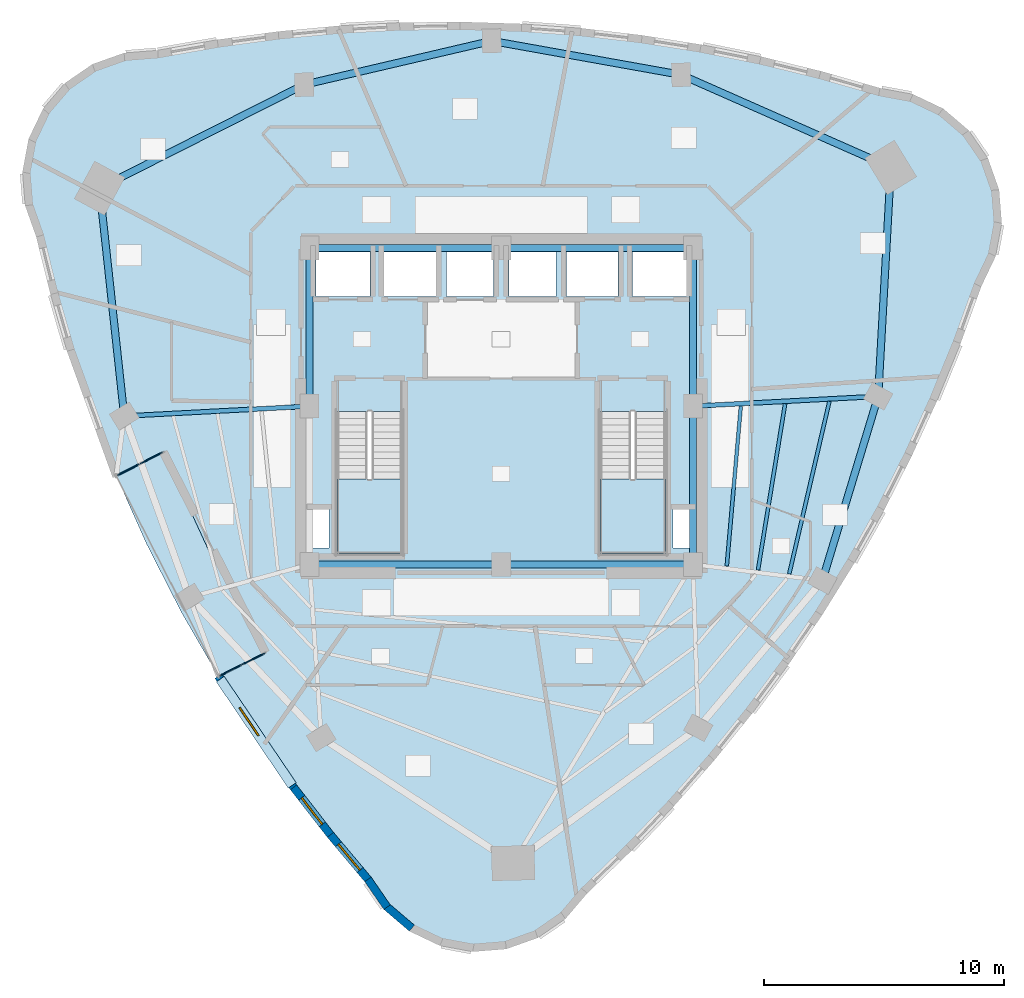
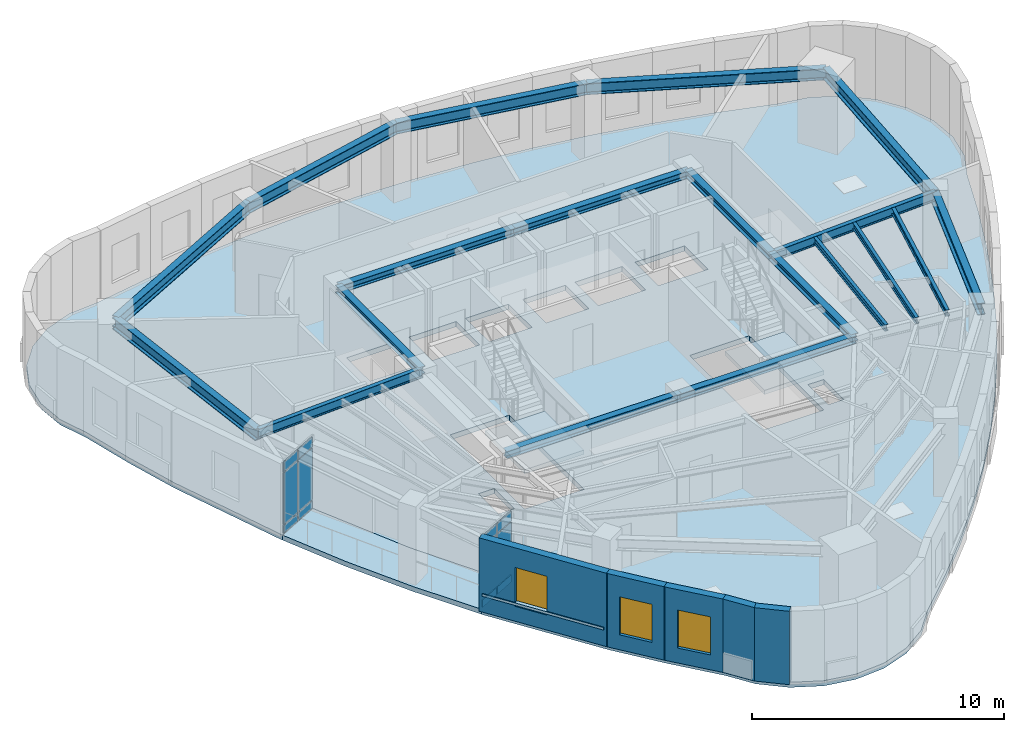
# One storey, part 5 of 12: 19 beams, 13 plates, 5 walls, 4 slabs, 3 windows, 3 openings, 4 elements without a shape of their own.
"""IFC4 building model written with IfcOpenShell, lengths in metres."""

from ifc_helpers import new_model, si_unit, direction, frame, frame_2d, origin, origin_2d, place, context, subcontext, project, spatial, polyline, rectangle, i_section, outline, extrude, material, layer, layer_set, material_profile, profile_set, type_object, element, fill, aggregate, save


model = new_model("IFC4")

# Units and contexts
model_context = context("Model", 3, precision=1e-05, world=origin(), true_north=direction((0.0, 1.0)))
body_context = subcontext(model_context, "Body", "Model", "MODEL_VIEW")
ifc_project = project(units=[si_unit("LENGTHUNIT", "METRE"), si_unit("AREAUNIT", "SQUARE_METRE"), si_unit("VOLUMEUNIT", "CUBIC_METRE"), si_unit("PLANEANGLEUNIT", "RADIAN"), si_unit("MASSUNIT", "GRAM", prefix="KILO")], contexts=[model_context])

# Site, building, storey
site_placement = place(None, origin())
site = spatial("IfcSite", under=ifc_project, at=site_placement, CompositionType="ELEMENT")
building_placement = place(site_placement, origin())
building = spatial("IfcBuilding", under=site, at=building_placement, Name="Ndelora Gate Hotel", CompositionType="ELEMENT")
storey_placement = place(building_placement, frame((0.0, 0.0, 201.75)))
storey = spatial("IfcBuildingStorey", under=building, at=storey_placement, Name="L50", CompositionType="ELEMENT", Elevation=201.75)

# Beams
ifc_material_1 = material(Name="Steel S355", Category="steel")
ifc_material_profile_1 = material_profile(ifc_material_1, i_section(OverallWidth=0.300048828125, OverallDepth=0.35009765625, WebThickness=0.010009765625, FlangeThickness=0.017578125, FilletRadius=0.027099609375, at=origin_2d()), Name="HEA 360")
ifc_profile_set_1 = profile_set([ifc_material_profile_1], Name="Steel S355")
beam_type_1 = type_object("IfcBeamType", Name="BM-CORE-350", PredefinedType="BEAM", material=ifc_profile_set_1)
for number, where, z_axis, x_axis, name in (
    (1, (-8.0, 6.60009765625, 3.375), (1.0, 0.0, 0.0), (0.0, 1.0, 0.0), "L50 Core Tie Girder CC7-CC6"),
    (2, (0.0, 6.60009765625, 3.375), (1.0, 0.0, 0.0), (0.0, 1.0, 0.0), "L50 Core Tie Girder CC6-CC5"),
):
    element("IfcBeam", number, at=place(storey_placement, frame(where, z_axis=z_axis, x_axis=x_axis)), inside=storey, type_object=beam_type_1, Name=name, PredefinedType="BEAM", context=body_context, shape_type="SweptSolid", body=[
        extrude(i_section(OverallWidth=0.300048828125, OverallDepth=0.35009765625, WebThickness=0.010009765625, FlangeThickness=0.017578125, FilletRadius=0.027099609375, at=origin_2d()), origin(), (0.0, 0.0, 1.0), 8.0),
    ])
for number, where, z_axis, x_axis, name in (
    (3, (-8.0, 0.0, 3.375), (0.0, 1.0, 0.0), (-1.0, 0.0, 0.0), "L50 Core Tie Girder CC8-CC7"),
    (4, (8.0, -6.60009765625, 3.375), (0.0, 1.0, 0.0), (-1.0, 0.0, 0.0), "L50 Core Tie Girder CC3-CC4"),
    (5, (8.0, 0.0, 3.375), (0.0, 1.0, 0.0), (-1.0, 0.0, 0.0), "L50 Core Tie Girder CC4-CC5"),
):
    element("IfcBeam", number, at=place(storey_placement, frame(where, z_axis=z_axis, x_axis=x_axis)), inside=storey, type_object=beam_type_1, Name=name, PredefinedType="BEAM", context=body_context, shape_type="SweptSolid", body=[
        extrude(i_section(OverallWidth=0.300048828125, OverallDepth=0.35009765625, WebThickness=0.010009765625, FlangeThickness=0.017578125, FilletRadius=0.027099609375, at=origin_2d()), origin(), (0.0, 0.0, 1.0), 6.60009765625),
    ])
for number, where, z_axis, x_axis, name in (
    (6, (-8.0, -6.60009765625, 3.375), (1.0, 0.0, 0.0), (0.0, 1.0, 0.0), "L50 Core Tie Girder CC1-CC2"),
    (7, (0.0, -6.60009765625, 3.375), (1.0, 0.0, 0.0), (0.0, 1.0, 0.0), "L50 Core Tie Girder CC2-CC3"),
):
    element("IfcBeam", number, at=place(storey_placement, frame(where, z_axis=z_axis, x_axis=x_axis)), inside=storey, type_object=beam_type_1, Name=name, PredefinedType="BEAM", context=body_context, shape_type="SweptSolid", body=[
        extrude(i_section(OverallWidth=0.300048828125, OverallDepth=0.35009765625, WebThickness=0.010009765625, FlangeThickness=0.017578125, FilletRadius=0.027099609375, at=origin_2d()), origin(), (0.0, 0.0, 1.0), 8.0),
    ])
ifc_material_profile_2 = material_profile(ifc_material_1, i_section(OverallWidth=0.14990234375, OverallDepth=0.300048828125, WebThickness=0.007080078125, FlangeThickness=0.0107421875, FilletRadius=0.014892578125, at=origin_2d()), Name="IPE 300")
ifc_profile_set_2 = profile_set([ifc_material_profile_2], Name="Steel S355")
beam_type_2 = type_object("IfcBeamType", Name="BM-JST-300", PredefinedType="JOIST", material=ifc_profile_set_2)
beam_1_placement = place(storey_placement, frame((9.413330078125, -6.671142578125, 3.39990234375), z_axis=(0.087643872384, 0.996151871771, 0.0), x_axis=(-0.996151871771, 0.087643872384, 0.0)))
element("IfcBeam", 8, at=beam_1_placement, inside=storey, type_object=beam_type_2, Name="L50 Secondary Composite Floor Joist IN-7", PredefinedType="JOIST", context=body_context, shape_type="SweptSolid", body=[
    extrude(i_section(OverallWidth=0.14990234375, OverallDepth=0.300048828125, WebThickness=0.007080078125, FlangeThickness=0.0107421875, FilletRadius=0.014892578125, at=origin_2d()), origin(), (0.0, 0.0, 1.0), 6.699462890625),
])
beam_2_placement = place(storey_placement, frame((10.717041015625, -6.834228515625, 3.39990234375), z_axis=(0.160939239626, 0.986964316046, 0.0), x_axis=(-0.986964316046, 0.160939239626, 0.0)))
element("IfcBeam", 9, at=beam_2_placement, inside=storey, type_object=beam_type_2, Name="L50 Secondary Composite Floor Joist MID-7", PredefinedType="JOIST", context=body_context, shape_type="SweptSolid", body=[
    extrude(i_section(OverallWidth=0.14990234375, OverallDepth=0.300048828125, WebThickness=0.007080078125, FlangeThickness=0.0107421875, FilletRadius=0.014892578125, at=origin_2d()), origin(), (0.0, 0.0, 1.0), 7.028076171875),
])
beam_3_placement = place(storey_placement, frame((12.02001953125, -6.997802734375, 3.39990234375), z_axis=(0.22674518397, 0.973954116756, 0.0), x_axis=(-0.973954116756, 0.22674518397, 0.0)))
element("IfcBeam", 10, at=beam_3_placement, inside=storey, type_object=beam_type_2, Name="L50 Secondary Composite Floor Joist OUT-7", PredefinedType="JOIST", context=body_context, shape_type="SweptSolid", body=[
    extrude(i_section(OverallWidth=0.14990234375, OverallDepth=0.300048828125, WebThickness=0.007080078125, FlangeThickness=0.0107421875, FilletRadius=0.014892578125, at=origin_2d()), origin(), (0.0, 0.0, 1.0), 7.392822265625),
])
ifc_material_profile_3 = material_profile(ifc_material_1, i_section(OverallWidth=0.18994140625, OverallDepth=0.449951171875, WebThickness=0.009521484375, FlangeThickness=0.0146484375, FilletRadius=0.02099609375, at=origin_2d()), Name="IPE 450")
ifc_profile_set_3 = profile_set([ifc_material_profile_3], Name="Steel S355")
beam_type_3 = type_object("IfcBeamType", Name="BM-RAD-450", PredefinedType="BEAM", material=ifc_profile_set_3)
for number, where, z_axis, x_axis, name in (
    (11, (-8.0, 0.0, 3.324951171875), (-0.998583554121, -0.053206065814, 0.0), (0.053206065814, -0.998583554121, 0.0), "L50 Radial Floor Girder 2"),
    (12, (8.0, 0.0, 3.324951171875), (0.998583554121, 0.053206065814, 0.0), (-0.053206065814, 0.998583554121, 0.0), "L50 Radial Floor Girder 8"),
):
    element("IfcBeam", number, at=place(storey_placement, frame(where, z_axis=z_axis, x_axis=x_axis)), inside=storey, type_object=beam_type_3, Name=name, PredefinedType="BEAM", context=body_context, shape_type="SweptSolid", body=[
        extrude(i_section(OverallWidth=0.18994140625, OverallDepth=0.449951171875, WebThickness=0.009521484375, FlangeThickness=0.0146484375, FilletRadius=0.02099609375, at=origin_2d()), origin(), (0.0, 0.0, 1.0), 7.740966796875),
    ])
ifc_material_profile_4 = material_profile(ifc_material_1, i_section(OverallWidth=0.300048828125, OverallDepth=0.550048828125, WebThickness=0.014892578125, FlangeThickness=0.029052734375, FilletRadius=0.027099609375, at=origin_2d()), Name="HEB 550")
ifc_profile_set_4 = profile_set([ifc_material_profile_4], Name="Steel S355")
beam_type_4 = type_object("IfcBeamType", Name="BM-RING-550", PredefinedType="SPANDREL", material=ifc_profile_set_4)
beam_4_placement = place(storey_placement, frame((-16.759521484375, 9.099609375, 3.27490234375), z_axis=(0.107613416645, -0.994192814578, 0.0), x_axis=(0.994192814578, 0.107613416645, 0.0)))
element("IfcBeam", 13, at=beam_4_placement, inside=storey, type_object=beam_type_4, Name="L50 Perimeter Spandrel Girder 1", PredefinedType="SPANDREL", context=body_context, shape_type="SweptSolid", body=[
    extrude(i_section(OverallWidth=0.300048828125, OverallDepth=0.550048828125, WebThickness=0.014892578125, FlangeThickness=0.029052734375, FilletRadius=0.027099609375, at=origin_2d()), origin(), (0.0, 0.0, 1.0), 9.567138671875),
])
beam_5_placement = place(storey_placement, frame((13.400390625, -7.275634765625, 3.27490234375), z_axis=(0.290012456561, 0.957022870698, 0.0), x_axis=(-0.957022870698, 0.290012456561, 0.0)))
element("IfcBeam", 14, at=beam_5_placement, inside=storey, type_object=beam_type_4, Name="L50 Perimeter Spandrel Girder 7", PredefinedType="SPANDREL", context=body_context, shape_type="SweptSolid", body=[
    extrude(i_section(OverallWidth=0.300048828125, OverallDepth=0.550048828125, WebThickness=0.014892578125, FlangeThickness=0.029052734375, FilletRadius=0.027099609375, at=origin_2d()), origin(), (0.0, 0.0, 1.0), 8.03271484375),
])
beam_6_placement = place(storey_placement, frame((15.72998046875, 0.411865234375, 3.27490234375), z_axis=(0.055426206248, 0.998462786318, 0.0), x_axis=(-0.998462786318, 0.055426206248, 0.0)))
element("IfcBeam", 15, at=beam_6_placement, inside=storey, type_object=beam_type_4, Name="L50 Perimeter Spandrel Girder 8", PredefinedType="SPANDREL", context=body_context, shape_type="SweptSolid", body=[
    extrude(i_section(OverallWidth=0.300048828125, OverallDepth=0.550048828125, WebThickness=0.014892578125, FlangeThickness=0.029052734375, FilletRadius=0.027099609375, at=origin_2d()), origin(), (0.0, 0.0, 1.0), 9.567138671875),
])
beam_7_placement = place(storey_placement, frame((16.26025390625, 9.96435546875, 3.27490234375), z_axis=(-0.914807449647, 0.403890245078, 0.0), x_axis=(-0.403890245078, -0.914807449647, 0.0)))
element("IfcBeam", 16, at=beam_7_placement, inside=storey, type_object=beam_type_4, Name="L50 Perimeter Spandrel Girder 9", PredefinedType="SPANDREL", context=body_context, shape_type="SweptSolid", body=[
    extrude(i_section(OverallWidth=0.300048828125, OverallDepth=0.550048828125, WebThickness=0.014892578125, FlangeThickness=0.029052734375, FilletRadius=0.027099609375, at=origin_2d()), origin(), (0.0, 0.0, 1.0), 9.56689453125),
])
for number, where, z_axis, x_axis, name in (
    (17, (7.50830078125, 13.828369140625, 3.27490234375), (-0.984373619655, 0.176092523767, 0.0), (-0.176092523767, -0.984373619655, 0.0), "L50 Perimeter Spandrel Girder 10"),
    (18, (-0.399169921875, 15.242919921875, 3.27490234375), (-0.973809142107, -0.227367004529, 0.0), (0.227367004529, -0.973809142107, 0.0), "L50 Perimeter Spandrel Girder 11"),
):
    element("IfcBeam", number, at=place(storey_placement, frame(where, z_axis=z_axis, x_axis=x_axis)), inside=storey, type_object=beam_type_4, Name=name, PredefinedType="SPANDREL", context=body_context, shape_type="SweptSolid", body=[
        extrude(i_section(OverallWidth=0.300048828125, OverallDepth=0.550048828125, WebThickness=0.014892578125, FlangeThickness=0.029052734375, FilletRadius=0.027099609375, at=origin_2d()), origin(), (0.0, 0.0, 1.0), 8.032958984375),
    ])
beam_8_placement = place(storey_placement, frame((-8.2216796875, 13.41650390625, 3.27490234375), z_axis=(-0.89241242978, -0.451220628045, 0.0), x_axis=(0.451220628045, -0.89241242978, 0.0)))
element("IfcBeam", 19, at=beam_8_placement, inside=storey, type_object=beam_type_4, Name="L50 Perimeter Spandrel Girder 12", PredefinedType="SPANDREL", context=body_context, shape_type="SweptSolid", body=[
    extrude(i_section(OverallWidth=0.300048828125, OverallDepth=0.550048828125, WebThickness=0.014892578125, FlangeThickness=0.029052734375, FilletRadius=0.027099609375, at=origin_2d()), origin(), (0.0, 0.0, 1.0), 9.567138671875),
])

# Curtain wall, plates
ifc_material_2 = material(Name="Bronze Anodised Unitised Aluminium and Low-E Glass", Category="aluminium")
ifc_layer_1 = layer(ifc_material_2, 0.199951171875)
ifc_layer_set_1 = layer_set([ifc_layer_1], Name="Bronze Anodised Unitised Aluminium and Low-E Glass")
curtain_wall_type = type_object("IfcCurtainWallType", Name="CW-SYS-3", PredefinedType="NOTDEFINED", material=ifc_layer_set_1)
curtain_wall_1_placement = place(storey_placement, origin())
curtain_wall_1 = element("IfcCurtainWall", 20, at=curtain_wall_1_placement, inside=storey, type_object=curtain_wall_type, Name="L50 Sky-Garden Loggia Side Curtain Wall CW3-1", PredefinedType="NOTDEFINED")
ifc_material_3 = material(Name="Solar-Control Low-E Insulated Glazing", Category="glass")
ifc_layer_2 = layer(ifc_material_3, 0.048095703125)
ifc_layer_set_2 = layer_set([ifc_layer_2], Name="Solar-Control Low-E Insulated Glazing")
plate_type_1 = type_object("IfcPlateType", Name="PL-CW-GLZ36", PredefinedType="CURTAIN_PANEL", material=ifc_layer_set_2)
plate_1_placement = place(storey_placement, frame((-14.6044921875, -2.166259765625, 0.05908203125), z_axis=(0.0, 0.0, 1.0), x_axis=(-0.891001336507, -0.454000680995, 0.0)))
plate_1 = element("IfcPlate", 21, at=plate_1_placement, type_object=plate_type_1, Name="CW3 panel 1.1", PredefinedType="CURTAIN_PANEL", context=body_context, shape_type="SweptSolid", body=[
    extrude(rectangle(XDim=1.014404296875, YDim=0.048095703125, at=origin_2d()), origin(), (0.0, 0.0, 1.0), 0.364501953125),
])
plate_2_placement = place(storey_placement, frame((-14.6044921875, -2.166259765625, 0.4765625), z_axis=(0.0, 0.0, 1.0), x_axis=(-0.891001336507, -0.454000680995, 0.0)))
plate_2 = element("IfcPlate", 22, at=plate_2_placement, type_object=plate_type_1, Name="CW3 panel 1.2", PredefinedType="CURTAIN_PANEL", context=body_context, shape_type="SweptSolid", body=[
    extrude(rectangle(XDim=1.014404296875, YDim=0.048095703125, at=origin_2d()), origin(), (0.0, 0.0, 1.0), 2.4970703125),
])
plate_3_placement = place(storey_placement, frame((-14.6044921875, -2.166259765625, 3.0263671875), z_axis=(0.0, 0.0, 1.0), x_axis=(-0.891001336507, -0.454000680995, 0.0)))
plate_3 = element("IfcPlate", 23, at=plate_3_placement, type_object=plate_type_1, Name="CW3 panel 1.3", PredefinedType="CURTAIN_PANEL", context=body_context, shape_type="SweptSolid", body=[
    extrude(rectangle(XDim=1.014404296875, YDim=0.048095703125, at=origin_2d()), origin(), (0.0, 0.0, 1.0), 0.464599609375),
])
plate_4_placement = place(storey_placement, frame((-15.5556640625, -2.651123046875, 0.05908203125), z_axis=(0.0, 0.0, 1.0), x_axis=(-0.891001336507, -0.454000680995, 0.0)))
plate_4 = element("IfcPlate", 24, at=plate_4_placement, type_object=plate_type_1, Name="CW3 panel 2.1", PredefinedType="CURTAIN_PANEL", context=body_context, shape_type="SweptSolid", body=[
    extrude(rectangle(XDim=1.014404296875, YDim=0.048095703125, at=origin_2d()), origin(), (0.0, 0.0, 1.0), 0.364501953125),
])
plate_5_placement = place(storey_placement, frame((-15.5556640625, -2.651123046875, 0.4765625), z_axis=(0.0, 0.0, 1.0), x_axis=(-0.891001336507, -0.454000680995, 0.0)))
plate_5 = element("IfcPlate", 25, at=plate_5_placement, type_object=plate_type_1, Name="CW3 panel 2.2", PredefinedType="CURTAIN_PANEL", context=body_context, shape_type="SweptSolid", body=[
    extrude(rectangle(XDim=1.014404296875, YDim=0.048095703125, at=origin_2d()), origin(), (0.0, 0.0, 1.0), 2.4970703125),
])
plate_6_placement = place(storey_placement, frame((-15.5556640625, -2.651123046875, 3.0263671875), z_axis=(0.0, 0.0, 1.0), x_axis=(-0.891001336507, -0.454000680995, 0.0)))
plate_6 = element("IfcPlate", 26, at=plate_6_placement, type_object=plate_type_1, Name="CW3 panel 2.3", PredefinedType="CURTAIN_PANEL", context=body_context, shape_type="SweptSolid", body=[
    extrude(rectangle(XDim=1.014404296875, YDim=0.048095703125, at=origin_2d()), origin(), (0.0, 0.0, 1.0), 0.464599609375),
])
aggregate(curtain_wall_1, [plate_1, plate_2, plate_3, plate_4, plate_5, plate_6])

curtain_wall_2_placement = place(storey_placement, origin())
curtain_wall_2 = element("IfcCurtainWall", 27, at=curtain_wall_2_placement, inside=storey, type_object=curtain_wall_type, Name="L50 Sky-Garden Loggia Side Curtain Wall CW3-2", PredefinedType="NOTDEFINED")
plate_7_placement = place(storey_placement, frame((-11.2880859375, -11.026611328125, 0.05908203125), z_axis=(0.0, 0.0, 1.0), x_axis=(0.891001336507, 0.454000680995, 0.0)))
plate_7 = element("IfcPlate", 28, at=plate_7_placement, type_object=plate_type_1, Name="CW3 panel 1.1", PredefinedType="CURTAIN_PANEL", context=body_context, shape_type="SweptSolid", body=[
    extrude(rectangle(XDim=1.014404296875, YDim=0.048095703125, at=origin_2d()), origin(), (0.0, 0.0, 1.0), 0.364501953125),
])
plate_8_placement = place(storey_placement, frame((-11.2880859375, -11.026611328125, 0.4765625), z_axis=(0.0, 0.0, 1.0), x_axis=(0.891001336507, 0.454000680995, 0.0)))
plate_8 = element("IfcPlate", 29, at=plate_8_placement, type_object=plate_type_1, Name="CW3 panel 1.2", PredefinedType="CURTAIN_PANEL", context=body_context, shape_type="SweptSolid", body=[
    extrude(rectangle(XDim=1.014404296875, YDim=0.048095703125, at=origin_2d()), origin(), (0.0, 0.0, 1.0), 2.4970703125),
])
plate_9_placement = place(storey_placement, frame((-11.2880859375, -11.026611328125, 3.0263671875), z_axis=(0.0, 0.0, 1.0), x_axis=(0.891001336507, 0.454000680995, 0.0)))
plate_9 = element("IfcPlate", 30, at=plate_9_placement, type_object=plate_type_1, Name="CW3 panel 1.3", PredefinedType="CURTAIN_PANEL", context=body_context, shape_type="SweptSolid", body=[
    extrude(rectangle(XDim=1.014404296875, YDim=0.048095703125, at=origin_2d()), origin(), (0.0, 0.0, 1.0), 0.464599609375),
])
plate_10_placement = place(storey_placement, frame((-10.3369140625, -10.5419921875, 0.05908203125), z_axis=(0.0, 0.0, 1.0), x_axis=(0.891001336507, 0.454000680995, 0.0)))
plate_10 = element("IfcPlate", 31, at=plate_10_placement, type_object=plate_type_1, Name="CW3 panel 2.1", PredefinedType="CURTAIN_PANEL", context=body_context, shape_type="SweptSolid", body=[
    extrude(rectangle(XDim=1.014404296875, YDim=0.048095703125, at=origin_2d()), origin(), (0.0, 0.0, 1.0), 0.364501953125),
])
plate_11_placement = place(storey_placement, frame((-10.3369140625, -10.5419921875, 0.4765625), z_axis=(0.0, 0.0, 1.0), x_axis=(0.891001336507, 0.454000680995, 0.0)))
plate_11 = element("IfcPlate", 32, at=plate_11_placement, type_object=plate_type_1, Name="CW3 panel 2.2", PredefinedType="CURTAIN_PANEL", context=body_context, shape_type="SweptSolid", body=[
    extrude(rectangle(XDim=1.014404296875, YDim=0.048095703125, at=origin_2d()), origin(), (0.0, 0.0, 1.0), 2.4970703125),
])
plate_12_placement = place(storey_placement, frame((-10.3369140625, -10.5419921875, 3.0263671875), z_axis=(0.0, 0.0, 1.0), x_axis=(0.891001336507, 0.454000680995, 0.0)))
plate_12 = element("IfcPlate", 33, at=plate_12_placement, type_object=plate_type_1, Name="CW3 panel 2.3", PredefinedType="CURTAIN_PANEL", context=body_context, shape_type="SweptSolid", body=[
    extrude(rectangle(XDim=1.014404296875, YDim=0.048095703125, at=origin_2d()), origin(), (0.0, 0.0, 1.0), 0.464599609375),
])
aggregate(curtain_wall_2, [plate_7, plate_8, plate_9, plate_10, plate_11, plate_12])

# Plate
ifc_material_4 = material(Name="Precast concrete C40/50", Category="concrete")
ifc_layer_3 = layer(ifc_material_4, 0.125)
ifc_layer_set_3 = layer_set([ifc_layer_3], Name="Precast concrete C40/50")
plate_type_2 = type_object("IfcPlateType", Name="PL-SILL-120", PredefinedType="USERDEFINED", material=ifc_layer_set_3)
plate_13_placement = place(storey_placement, frame((-10.220458984375, -13.6044921875, 0.78759765625), z_axis=(0.0, 0.0, 1.0), x_axis=(-0.560783509816, 0.827962472047, 0.0)))
element("IfcPlate", 34, at=plate_13_placement, inside=storey, type_object=plate_type_2, Name="L50 Streamline Precast Ribbon Sill 16", ObjectType="RIBBON_SILL", PredefinedType="USERDEFINED", context=body_context, shape_type="SweptSolid", body=[
    extrude(rectangle(XDim=5.35693359375, YDim=0.39990234375, at=origin_2d()), origin(), (0.0, 0.0, 1.0), 0.125),
])

# Stair, slab
stair_type = type_object("IfcStairType", Name="STR-DOG-CORE", PredefinedType="HALF_TURN_STAIR", material=ifc_material_4)
stair_1_placement = place(storey_placement, origin())
stair_1 = element("IfcStair", 35, at=stair_1_placement, inside=storey, type_object=stair_type, Name="L50 Protected Core Exit Stair ST4", PredefinedType="HALF_TURN_STAIR")
ifc_layer_4 = layer(ifc_material_4, 0.219970703125)
ifc_layer_set_4 = layer_set([ifc_layer_4], Name="Precast concrete C40/50")
slab_type_1 = type_object("IfcSlabType", Name="SL-LAND-220", PredefinedType="LANDING", material=ifc_layer_set_4)
slab_1_placement = place(storey_placement, frame((0.0, 0.0, 1.699951171875)))
slab_1 = element("IfcSlab", 36, at=slab_1_placement, type_object=slab_type_1, Name="ST4 landing 1", PredefinedType="LANDING", context=body_context, shape_type="SweptSolid", body=[
    extrude(outline(polyline([(-6.85009765625, -3.030029296875), (-6.85009765625, -6.14990234375), (-4.1298828125, -6.14990234375), (-4.1298828125, -3.030029296875), (-6.85009765625, -3.030029296875)])), origin(), (0.0, 0.0, 1.0), 0.199951171875),
])
aggregate(stair_1, [slab_1])

stair_2_placement = place(storey_placement, origin())
stair_2 = element("IfcStair", 37, at=stair_2_placement, inside=storey, type_object=stair_type, Name="L50 Protected Core Exit Stair ST5", PredefinedType="HALF_TURN_STAIR")
slab_2_placement = place(storey_placement, frame((0.0, 0.0, 1.699951171875)))
slab_2 = element("IfcSlab", 38, at=slab_2_placement, type_object=slab_type_1, Name="ST5 landing 1", PredefinedType="LANDING", context=body_context, shape_type="SweptSolid", body=[
    extrude(outline(polyline([(4.1298828125, -3.030029296875), (4.1298828125, -6.14990234375), (6.85009765625, -6.14990234375), (6.85009765625, -3.030029296875), (4.1298828125, -3.030029296875)])), origin(), (0.0, 0.0, 1.0), 0.199951171875),
])
aggregate(stair_2, [slab_2])

# Slabs
ifc_layer_5 = layer(ifc_material_4, 0.239990234375)
ifc_layer_set_5 = layer_set([ifc_layer_5], Name="Precast concrete C40/50")
slab_type_2 = type_object("IfcSlabType", Name="SL-TER-240", PredefinedType="FLOOR", material=ifc_layer_set_5)
slab_3_placement = place(storey_placement, frame((0.0, 0.0, -0.239990234375)))
element("IfcSlab", 39, at=slab_3_placement, inside=storey, type_object=slab_type_2, Name="L50 Sky Garden Loggia Terrace Slab", PredefinedType="FLOOR", context=body_context, shape_type="SweptSolid", body=[
    extrude(outline(polyline([(-14.099853515625, -1.9091796875), (-16.06005859375, -2.908203125), (-14.797119140625, -5.74609375), (-13.345947265625, -8.593505859375), (-11.79248046875, -11.28369140625), (-9.83251953125, -10.284912109375), (-12.13037109375, -6.1806640625), (-14.099853515625, -1.9091796875)])), origin(), (0.0, 0.0, 1.0), 0.239990234375),
])
ifc_material_5 = material(Name="Concrete C40/50", Category="concrete")
ifc_layer_6 = layer(ifc_material_5, 0.25)
ifc_layer_set_6 = layer_set([ifc_layer_6], Name="Concrete C40/50")
slab_type_3 = type_object("IfcSlabType", Name="SL-TWR-250", PredefinedType="FLOOR", material=ifc_layer_set_6)
slab_4_placement = place(storey_placement, frame((0.0, 0.0, -0.25)))
element("IfcSlab", 40, at=slab_4_placement, inside=storey, type_object=slab_type_3, Name="L50 Structural Floor Slab", PredefinedType="FLOOR", context=body_context, shape_type="SweptSolid", body=[
    extrude(outline(polyline([(-14.344482421875, 14.68505859375), (-15.69775390625, 14.57861328125), (-16.977294921875, 14.12548828125), (-18.09619140625, 13.3564453125), (-18.977783203125, 12.32421875), (-19.56201171875, 11.09912109375), (-19.8095703125, 9.764404296875), (-19.702880859375, 8.410888671875), (-19.249755859375, 7.13134765625), (-18.65185546875, 4.7255859375), (-17.96728515625, 2.3642578125), (-16.06005859375, -2.908203125), (-14.099853515625, -1.9091796875), (-12.13037109375, -6.1806640625), (-9.83251953125, -10.284912109375), (-11.79248046875, -11.28369140625), (-8.648193359375, -15.92529296875), (-7.14013671875, -17.867431640625), (-5.54541015625, -19.76513671875), (-4.776611328125, -20.8837890625), (-3.744140625, -21.765380859375), (-2.51904296875, -22.349853515625), (-1.184326171875, -22.597412109375), (0.1689453125, -22.49072265625), (1.448486328125, -22.03759765625), (2.5673828125, -21.268798828125), (3.448974609375, -20.236572265625), (5.305908203125, -18.443115234375), (7.074462890625, -16.592041015625), (8.75439453125, -14.68359375), (10.345703125, -12.717529296875), (11.848388671875, -10.694091796875), (13.262939453125, -8.613037109375), (14.588623046875, -6.474609375), (15.825927734375, -4.278564453125), (16.974609375, -2.025146484375), (18.034912109375, 0.285888671875), (19.006591796875, 2.654296875), (19.889892578125, 5.080078125), (20.47412109375, 6.305419921875), (20.7216796875, 7.64013671875), (20.614990234375, 8.993408203125), (20.161865234375, 10.27294921875), (19.39306640625, 11.391845703125), (18.36083984375, 12.2734375), (17.135498046875, 12.85791015625), (15.80078125, 13.10498046875), (13.319091796875, 13.816650390625), (10.831787109375, 14.422607421875), (8.339111328125, 14.923095703125), (5.8408203125, 15.318359375), (3.3369140625, 15.608154296875), (0.82763671875, 15.79248046875), (-1.687255859375, 15.871337890625), (-4.20751953125, 15.844970703125), (-6.7333984375, 15.713134765625), (-9.264892578125, 15.475830078125), (-11.802001953125, 15.133056640625), (-14.344482421875, 14.68505859375)]), holes=[polyline([(-6.85009765625, -0.22998046875), (-6.85009765625, -6.14990234375), (-4.1298828125, -6.14990234375), (-4.1298828125, -0.22998046875), (-6.85009765625, -0.22998046875)]), polyline([(4.1298828125, -0.22998046875), (4.1298828125, -6.14990234375), (6.85009765625, -6.14990234375), (6.85009765625, -0.22998046875), (4.1298828125, -0.22998046875)]), polyline([(-7.72998046875, 4.570068359375), (-5.469970703125, 4.570068359375), (-5.469970703125, 6.429931640625), (-7.72998046875, 6.429931640625), (-7.72998046875, 4.570068359375)]), polyline([(5.469970703125, 4.570068359375), (7.72998046875, 4.570068359375), (7.72998046875, 6.429931640625), (5.469970703125, 6.429931640625), (5.469970703125, 4.570068359375)]), polyline([(-4.8798828125, 4.570068359375), (-2.719970703125, 4.570068359375), (-2.719970703125, 6.429931640625), (-4.8798828125, 6.429931640625), (-4.8798828125, 4.570068359375)]), polyline([(2.719970703125, 4.570068359375), (4.8798828125, 4.570068359375), (4.8798828125, 6.429931640625), (2.719970703125, 6.429931640625), (2.719970703125, 4.570068359375)]), polyline([(-2.280029296875, 4.570068359375), (-0.320068359375, 4.570068359375), (-0.320068359375, 6.429931640625), (-2.280029296875, 6.429931640625), (-2.280029296875, 4.570068359375)]), polyline([(0.320068359375, 4.570068359375), (2.280029296875, 4.570068359375), (2.280029296875, 6.429931640625), (0.320068359375, 6.429931640625), (0.320068359375, 4.570068359375)]), polyline([(-7.89990234375, -5.919921875), (-7.179931640625, -5.919921875), (-7.179931640625, -4.320068359375), (-7.89990234375, -4.320068359375), (-7.89990234375, -5.919921875)]), polyline([(7.179931640625, -5.919921875), (7.89990234375, -5.919921875), (7.89990234375, -4.320068359375), (7.179931640625, -4.320068359375), (7.179931640625, -5.919921875)])]), origin(), (0.0, 0.0, 1.0), 0.25),
])

# Wall, opening, window
ifc_material_6 = material(Name="Clay Brick Masonry", Category="masonry")
ifc_layer_7 = layer(ifc_material_6, 0.330078125)
ifc_layer_set_7 = layer_set([ifc_layer_7], Name="Clay Brick Masonry")
wall_type = type_object("IfcWallType", Name="WL-BRICK-330", PredefinedType="SOLIDWALL", material=ifc_layer_set_7)
wall_1_placement = place(storey_placement, frame((-8.63427734375, -15.946044921875, 0.0), z_axis=(0.0, 0.0, 1.0), x_axis=(-0.560840510301, 0.827923862444, 0.0)))
wall_1 = element("IfcWall", 41, at=wall_1_placement, inside=storey, type_object=wall_type, Name="L50 Tower Brick Pier-and-Spandrel Wall TWR-16", PredefinedType="SOLIDWALL", context=body_context, shape_type="SweptSolid", body=[
    extrude(rectangle(XDim=5.656494140625, YDim=0.330078125, at=frame_2d((2.828125, 0.0))), origin(), (0.0, 0.0, 1.0), 3.550048828125),
])
opening_1_placement = place(wall_1_placement, frame((2.659912109375, 0.0, 0.719970703125)))
opening_1 = element("IfcOpeningElement", 42, at=opening_1_placement, cuts=wall_1, Name="Opening W02", PredefinedType="OPENING", context=body_context, shape_type="SweptSolid", body=[
    extrude(rectangle(XDim=1.39990234375, YDim=1.8798828125, at=frame_2d((0.699951171875, 0.93994140625))), frame((0.0, 0.175048828125, 0.0), z_axis=(0.0, -1.0, 0.0), x_axis=(1.0, 0.0, 0.0)), (0.0, 0.0, 1.0), 0.35009765625),
])
ifc_material_7 = material(Name="Insulated Low-E Double Glazing in Bronze Aluminium Frame", Category="aluminium")
window_type = type_object("IfcWindowType", Name="WN-DEEP-1400", PartitioningType="SINGLE_PANEL", PredefinedType="WINDOW", material=ifc_material_7)
window_1_placement = place(opening_1_placement, origin())
window_1 = element("IfcWindow", 43, at=window_1_placement, inside=storey, type_object=window_type, Name="L50 Deep-Set Brick-Pier Window W02", OverallHeight=1.8798828125, OverallWidth=1.39990234375, PartitioningType="SINGLE_PANEL", PredefinedType="WINDOW", context=body_context, shape_type="SweptSolid", body=[
    extrude(rectangle(XDim=1.39990234375, YDim=1.8798828125, at=frame_2d((0.699951171875, 0.93994140625))), frame((0.0, 0.030029296875, 0.0), z_axis=(0.0, -1.0, 0.0), x_axis=(1.0, 0.0, 0.0)), (0.0, 0.0, 1.0), 0.06005859375),
])
fill(opening_1, window_1)

wall_2_placement = place(storey_placement, frame((-7.124755859375, -17.88720703125, 0.0), z_axis=(0.0, 0.0, 1.0), x_axis=(-0.61336779868, 0.789797406645, 0.0)))
wall_2 = element("IfcWall", 44, at=wall_2_placement, inside=storey, type_object=wall_type, Name="L50 Tower Brick Pier-and-Spandrel Wall TWR-17", PredefinedType="SOLIDWALL", context=body_context, shape_type="SweptSolid", body=[
    extrude(rectangle(XDim=2.5087890625, YDim=0.330078125, at=frame_2d((1.25439453125, 0.0))), origin(), (0.0, 0.0, 1.0), 3.550048828125),
])
opening_2_placement = place(wall_2_placement, frame((0.554443359375, 0.0, 0.719970703125)))
opening_2 = element("IfcOpeningElement", 45, at=opening_2_placement, cuts=wall_2, Name="Opening W02", PredefinedType="OPENING", context=body_context, shape_type="SweptSolid", body=[
    extrude(rectangle(XDim=1.39990234375, YDim=1.840087890625, at=frame_2d((0.699951171875, 0.919921875))), frame((0.0, 0.175048828125, 0.0), z_axis=(0.0, -1.0, 0.0), x_axis=(1.0, 0.0, 0.0)), (0.0, 0.0, 1.0), 0.35009765625),
])
window_2_placement = place(opening_2_placement, origin())
window_2 = element("IfcWindow", 46, at=window_2_placement, inside=storey, type_object=window_type, Name="L50 Deep-Set Brick-Pier Window W02", OverallHeight=1.840087890625, OverallWidth=1.39990234375, PartitioningType="SINGLE_PANEL", PredefinedType="WINDOW", context=body_context, shape_type="SweptSolid", body=[
    extrude(rectangle(XDim=1.39990234375, YDim=1.840087890625, at=frame_2d((0.699951171875, 0.919921875))), frame((0.0, 0.030029296875, 0.0), z_axis=(0.0, -1.0, 0.0), x_axis=(1.0, 0.0, 0.0)), (0.0, 0.0, 1.0), 0.06005859375),
])
fill(opening_2, window_2)

wall_3_placement = place(storey_placement, frame((-5.529296875, -19.7841796875, 0.0), z_axis=(0.0, 0.0, 1.0), x_axis=(-0.643398111414, 0.765531756513, 0.0)))
wall_3 = element("IfcWall", 47, at=wall_3_placement, inside=storey, type_object=wall_type, Name="L50 Tower Brick Pier-and-Spandrel Wall TWR-18", PredefinedType="SOLIDWALL", context=body_context, shape_type="SweptSolid", body=[
    extrude(rectangle(XDim=2.52880859375, YDim=0.330078125, at=frame_2d((1.264404296875, 0.0))), origin(), (0.0, 0.0, 1.0), 3.550048828125),
])
opening_3_placement = place(wall_3_placement, frame((0.564453125, 0.0, 0.719970703125)))
opening_3 = element("IfcOpeningElement", 48, at=opening_3_placement, cuts=wall_3, Name="Opening W02", PredefinedType="OPENING", context=body_context, shape_type="SweptSolid", body=[
    extrude(rectangle(XDim=1.39990234375, YDim=1.840087890625, at=frame_2d((0.699951171875, 0.919921875))), frame((0.0, 0.175048828125, 0.0), z_axis=(0.0, -1.0, 0.0), x_axis=(1.0, 0.0, 0.0)), (0.0, 0.0, 1.0), 0.35009765625),
])
window_3_placement = place(opening_3_placement, origin())
window_3 = element("IfcWindow", 49, at=window_3_placement, inside=storey, type_object=window_type, Name="L50 Deep-Set Brick-Pier Window W02", OverallHeight=1.840087890625, OverallWidth=1.39990234375, PartitioningType="SINGLE_PANEL", PredefinedType="WINDOW", context=body_context, shape_type="SweptSolid", body=[
    extrude(rectangle(XDim=1.39990234375, YDim=1.840087890625, at=frame_2d((0.699951171875, 0.919921875))), frame((0.0, 0.030029296875, 0.0), z_axis=(0.0, -1.0, 0.0), x_axis=(1.0, 0.0, 0.0)), (0.0, 0.0, 1.0), 0.06005859375),
])
fill(opening_3, window_3)

# Walls
wall_4_placement = place(storey_placement, frame((-4.76220703125, -20.904541015625, 0.0), z_axis=(0.0, 0.0, 1.0), x_axis=(-0.566411052666, 0.824122878834, 0.0)))
element("IfcWall", 50, at=wall_4_placement, inside=storey, type_object=wall_type, Name="L50 Tower Brick Pier-and-Spandrel Wall TWR-19", PredefinedType="SOLIDWALL", context=body_context, shape_type="SweptSolid", body=[
    extrude(rectangle(XDim=1.40771484375, YDim=0.330078125, at=frame_2d((0.703857421875, 0.0))), origin(), (0.0, 0.0, 1.0), 3.550048828125),
])
wall_5_placement = place(storey_placement, frame((-3.72509765625, -21.78173828125, 0.0), z_axis=(0.0, 0.0, 1.0), x_axis=(-0.760430782952, 0.64941898982, 0.0)))
element("IfcWall", 51, at=wall_5_placement, inside=storey, type_object=wall_type, Name="L50 Tower Brick Pier-and-Spandrel Wall TWR-20", PredefinedType="SOLIDWALL", context=body_context, shape_type="SweptSolid", body=[
    extrude(rectangle(XDim=1.407470703125, YDim=0.330078125, at=frame_2d((0.70361328125, 0.0))), origin(), (0.0, 0.0, 1.0), 3.550048828125),
])

save(model, "model.ifc")
